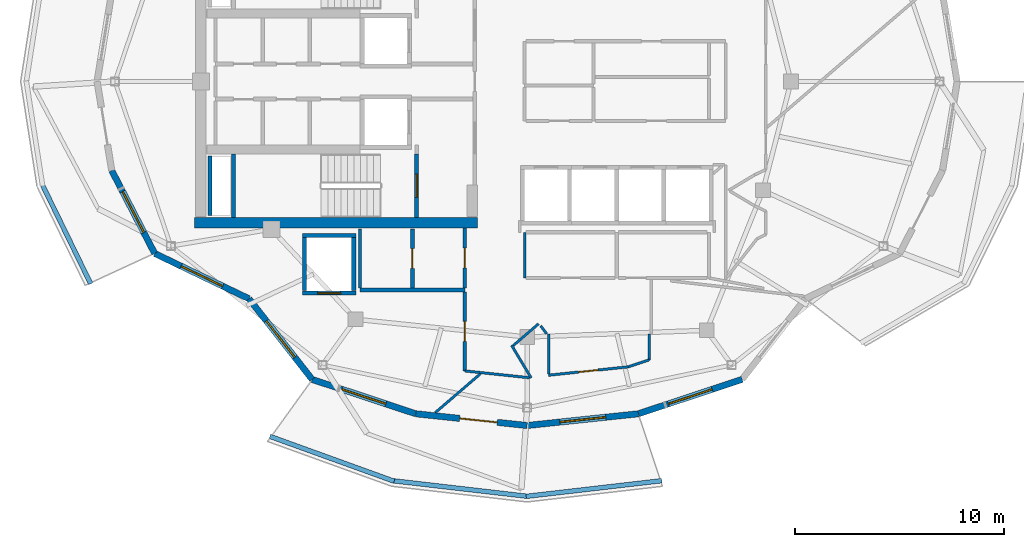
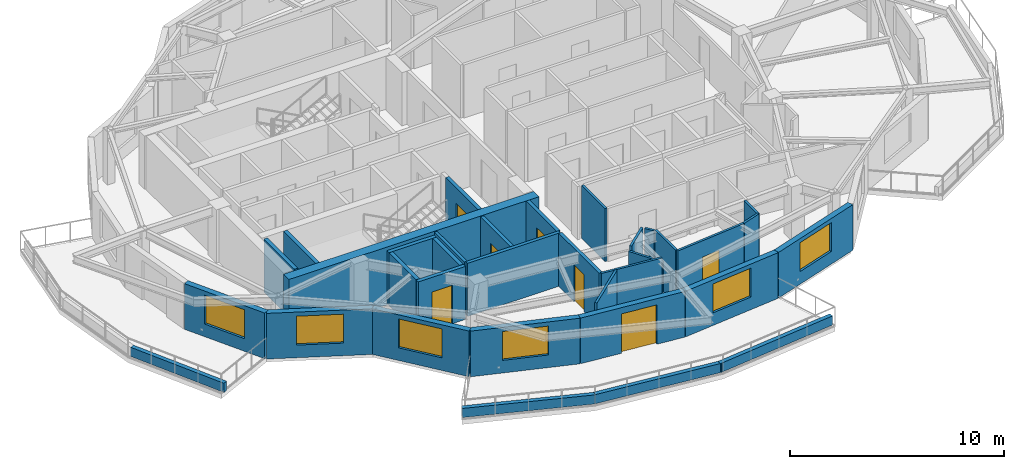
# One storey, part 3 of 11: 34 walls, 7 doors, 6 windows, 13 openings.
"""IFC4 building model written with IfcOpenShell, lengths in metres."""

from ifc_helpers import new_model, si_unit, direction, frame, frame_2d, origin, place, context, subcontext, project, spatial, rectangle, extrude, material, layer, layer_set, type_object, element, fill, save


model = new_model("IFC4")

# Units and contexts
model_context = context("Model", 3, precision=1e-05, world=origin(), true_north=direction((0.0, 1.0)))
body_context = subcontext(model_context, "Body", "Model", "MODEL_VIEW")
ifc_project = project(units=[si_unit("LENGTHUNIT", "METRE"), si_unit("AREAUNIT", "SQUARE_METRE"), si_unit("VOLUMEUNIT", "CUBIC_METRE"), si_unit("PLANEANGLEUNIT", "RADIAN"), si_unit("MASSUNIT", "GRAM", prefix="KILO")], contexts=[model_context])

# Site, building, storey
site_placement = place(None, origin())
site = spatial("IfcSite", under=ifc_project, at=site_placement, CompositionType="ELEMENT")
building_placement = place(site_placement, origin())
building = spatial("IfcBuilding", under=site, at=building_placement, Name="Kolvaren Gate Tower and Convention Centre", CompositionType="ELEMENT")
storey_placement = place(building_placement, frame((0.0, 0.0, 262.39990234375)))
storey = spatial("IfcBuildingStorey", under=building, at=storey_placement, Name="L71", CompositionType="ELEMENT", Elevation=262.39990234375)

# Wall
ifc_material_1 = material(Name="Autoclaved Aerated Masonry Blockwork Class 4 (4.0 MPa)", Category="masonry")
ifc_layer_1 = layer(ifc_material_1, 0.179931640625)
ifc_layer_set_1 = layer_set([ifc_layer_1], Name="Autoclaved Aerated Masonry Blockwork Class 4 (4.0 MPa)")
wall_type_1 = type_object("IfcWallType", Name="ARCH-WL-COMP-180", PredefinedType="SOLIDWALL", material=ifc_layer_set_1)
wall_1_placement = place(storey_placement, frame((22.14990234375, 17.050048828125, 0.0), z_axis=(0.0, 0.0, 1.0), x_axis=(1.0, 0.0, 0.0)))
element("IfcWall", 1, at=wall_1_placement, inside=storey, type_object=wall_type_1, Name="Interior Partition WL-L71-INT-011", PredefinedType="SOLIDWALL", context=body_context, shape_type="SweptSolid", body=[
    extrude(rectangle(XDim=5.0, YDim=0.179931640625, at=frame_2d((2.5, 0.0))), origin(), (0.0, 0.0, 1.0), 3.030029296875),
])

# Wall, opening, door
wall_2_placement = place(storey_placement, frame((24.64990234375, 17.14208984375, 0.0), z_axis=(0.0, 0.0, 1.0), x_axis=(0.0, 1.0, 0.0)))
wall_2 = element("IfcWall", 2, at=wall_2_placement, inside=storey, type_object=wall_type_1, Name="Interior Partition WL-L71-INT-013", PredefinedType="SOLIDWALL", context=body_context, shape_type="SweptSolid", body=[
    extrude(rectangle(XDim=2.807861328125, YDim=0.179931640625, at=frame_2d((1.40380859375, 0.0))), origin(), (0.0, 0.0, 1.0), 3.030029296875),
])
opening_1_placement = place(wall_2_placement, frame((0.928955078125, 0.0, 0.0)))
opening_1 = element("IfcOpeningElement", 3, at=opening_1_placement, cuts=wall_2, Name="Opening DR-01", PredefinedType="OPENING", context=body_context, shape_type="SweptSolid", body=[
    extrude(rectangle(XDim=0.949951171875, YDim=2.10009765625, at=frame_2d((0.47509765625, 1.050048828125))), frame((0.0, 0.099853515625, 0.0), z_axis=(0.0, -1.0, 0.0), x_axis=(1.0, 0.0, 0.0)), (0.0, 0.0, 1.0), 0.199951171875),
])
ifc_material_2 = material(Name="Painted Architectural Steelwork ASTM A500 Grade C 345 MPa", Category="steel")
door_type_1 = type_object("IfcDoorType", Name="ARCH-DR-RISER-950", OperationType="SINGLE_SWING_RIGHT", PredefinedType="DOOR", material=ifc_material_2)
door_1_placement = place(opening_1_placement, origin())
door_1 = element("IfcDoor", 4, at=door_1_placement, inside=storey, type_object=door_type_1, Name="West Valet Store Door", OperationType="SINGLE_SWING_RIGHT", OverallHeight=2.10009765625, OverallWidth=0.949951171875, PredefinedType="DOOR", context=body_context, shape_type="SweptSolid", body=[
    extrude(rectangle(XDim=0.949951171875, YDim=2.10009765625, at=frame_2d((0.47509765625, 1.050048828125))), frame((0.0, 0.02490234375, 0.0), z_axis=(0.0, -1.0, 0.0), x_axis=(1.0, 0.0, 0.0)), (0.0, 0.0, 1.0), 0.050048828125),
])
fill(opening_1, door_1)

wall_3_placement = place(storey_placement, frame((27.14990234375, 13.180908203125, 0.0), z_axis=(0.0, 0.0, 1.0), x_axis=(0.0, 1.0, 0.0)))
wall_3 = element("IfcWall", 5, at=wall_3_placement, inside=storey, type_object=wall_type_1, Name="Interior Partition WL-L71-INT-014", PredefinedType="SOLIDWALL", context=body_context, shape_type="SweptSolid", body=[
    extrude(rectangle(XDim=3.777099609375, YDim=0.179931640625, at=frame_2d((1.888671875, 0.0))), origin(), (0.0, 0.0, 1.0), 3.030029296875),
])
opening_2_placement = place(wall_3_placement, frame((1.41357421875, 0.0, 0.0)))
opening_2 = element("IfcOpeningElement", 6, at=opening_2_placement, cuts=wall_3, Name="Opening DR-01", PredefinedType="OPENING", context=body_context, shape_type="SweptSolid", body=[
    extrude(rectangle(XDim=0.949951171875, YDim=2.10009765625, at=frame_2d((0.47509765625, 1.050048828125))), frame((0.0, 0.099853515625, 0.0), z_axis=(0.0, -1.0, 0.0), x_axis=(1.0, 0.0, 0.0)), (0.0, 0.0, 1.0), 0.199951171875),
])
door_2_placement = place(opening_2_placement, origin())
door_2 = element("IfcDoor", 7, at=door_2_placement, inside=storey, type_object=door_type_1, Name="Resident Private Study and Home Office Door", OperationType="SINGLE_SWING_LEFT", OverallHeight=2.10009765625, OverallWidth=0.949951171875, PredefinedType="DOOR", context=body_context, shape_type="SweptSolid", body=[
    extrude(rectangle(XDim=0.949951171875, YDim=2.10009765625, at=frame_2d((0.47509765625, 1.050048828125))), frame((0.0, 0.02490234375, 0.0), z_axis=(0.0, -1.0, 0.0), x_axis=(1.0, 0.0, 0.0)), (0.0, 0.0, 1.0), 0.050048828125),
])
fill(opening_2, door_2)

wall_4_placement = place(storey_placement, frame((27.14990234375, 17.14208984375, 0.0), z_axis=(0.0, 0.0, 1.0), x_axis=(0.0, 1.0, 0.0)))
wall_4 = element("IfcWall", 8, at=wall_4_placement, inside=storey, type_object=wall_type_1, Name="Interior Partition WL-L71-INT-014 (2)", PredefinedType="SOLIDWALL", context=body_context, shape_type="SweptSolid", body=[
    extrude(rectangle(XDim=2.85595703125, YDim=0.179931640625, at=frame_2d((1.427978515625, 0.0))), origin(), (0.0, 0.0, 1.0), 3.030029296875),
])
opening_3_placement = place(wall_4_placement, frame((0.952880859375, 0.0, 0.0)))
opening_3 = element("IfcOpeningElement", 9, at=opening_3_placement, cuts=wall_4, Name="Opening DR-01", PredefinedType="OPENING", context=body_context, shape_type="SweptSolid", body=[
    extrude(rectangle(XDim=0.949951171875, YDim=2.10009765625, at=frame_2d((0.47509765625, 1.050048828125))), frame((0.0, 0.099853515625, 0.0), z_axis=(0.0, -1.0, 0.0), x_axis=(1.0, 0.0, 0.0)), (0.0, 0.0, 1.0), 0.199951171875),
])
door_3_placement = place(opening_3_placement, origin())
door_3 = element("IfcDoor", 10, at=door_3_placement, inside=storey, type_object=door_type_1, Name="Metering Switch Room Door", OperationType="SINGLE_SWING_LEFT", OverallHeight=2.10009765625, OverallWidth=0.949951171875, PredefinedType="DOOR", context=body_context, shape_type="SweptSolid", body=[
    extrude(rectangle(XDim=0.949951171875, YDim=2.10009765625, at=frame_2d((0.47509765625, 1.050048828125))), frame((0.0, 0.02490234375, 0.0), z_axis=(0.0, -1.0, 0.0), x_axis=(1.0, 0.0, 0.0)), (0.0, 0.0, 1.0), 0.050048828125),
])
fill(opening_3, door_3)

# Walls
ifc_material_3 = material(Name="Fire-Rated Acoustic Gypsum Stud Partition", Category="gypsum")
ifc_layer_2 = layer(ifc_material_3, 0.1201171875)
ifc_layer_set_2 = layer_set([ifc_layer_2], Name="Fire-Rated Acoustic Gypsum Stud Partition")
wall_type_2 = type_object("IfcWallType", Name="ARCH-WL-PART-120", PredefinedType="PARTITIONING", material=ifc_layer_set_2)
wall_5_placement = place(storey_placement, frame((30.0, 17.6201171875, 0.0), z_axis=(0.0, 0.0, 1.0), x_axis=(0.0, 1.0, 0.0)))
element("IfcWall", 11, at=wall_5_placement, inside=storey, type_object=wall_type_2, Name="Interior Partition WL-L71-INT-017", PredefinedType="PARTITIONING", context=body_context, shape_type="SweptSolid", body=[
    extrude(rectangle(XDim=2.179931640625, YDim=0.1201171875, at=frame_2d((1.08984375, 0.0))), origin(), (0.0, 0.0, 1.0), 3.030029296875),
])
wall_6_placement = place(storey_placement, frame((35.949951171875, 13.7060546875, 0.0), z_axis=(0.0, 0.0, 1.0), x_axis=(0.0, 1.0, 0.0)))
element("IfcWall", 12, at=wall_6_placement, inside=storey, type_object=wall_type_2, Name="Interior Partition WL-L71-INT-065", PredefinedType="PARTITIONING", context=body_context, shape_type="SweptSolid", body=[
    extrude(rectangle(XDim=1.243896484375, YDim=0.1201171875, at=frame_2d((0.6220703125, 0.0))), origin(), (0.0, 0.0, 1.0), 3.030029296875),
])
wall_7_placement = place(storey_placement, frame((34.955078125, 13.3759765625, 0.0), z_axis=(0.0, 0.0, 1.0), x_axis=(0.949124905871, 0.314899846071, 0.0)))
element("IfcWall", 13, at=wall_7_placement, inside=storey, type_object=wall_type_2, Name="Interior Partition WL-L71-INT-066", PredefinedType="PARTITIONING", context=body_context, shape_type="SweptSolid", body=[
    extrude(rectangle(XDim=1.048095703125, YDim=0.1201171875, at=frame_2d((0.52392578125, 0.0))), origin(), (0.0, 0.0, 1.0), 3.030029296875),
])

# Wall, opening, door
wall_8_placement = place(storey_placement, frame((31.14990234375, 12.97607421875, 0.0), z_axis=(0.0, 0.0, 1.0), x_axis=(0.994522920899, 0.104518705533, 0.0)))
wall_8 = element("IfcWall", 14, at=wall_8_placement, inside=storey, type_object=wall_type_2, Name="Interior Partition WL-L71-INT-067", PredefinedType="PARTITIONING", context=body_context, shape_type="SweptSolid", body=[
    extrude(rectangle(XDim=3.826171875, YDim=0.1201171875, at=frame_2d((1.9130859375, 0.0))), origin(), (0.0, 0.0, 1.0), 3.030029296875),
])
opening_4_placement = place(wall_8_placement, frame((1.43798828125, 0.0, 0.0)))
opening_4 = element("IfcOpeningElement", 15, at=opening_4_placement, cuts=wall_8, Name="Opening DR-01", PredefinedType="OPENING", context=body_context, shape_type="SweptSolid", body=[
    extrude(rectangle(XDim=0.949951171875, YDim=2.10009765625, at=frame_2d((0.47509765625, 1.050048828125))), frame((0.0, 0.070068359375, 0.0), z_axis=(0.0, -1.0, 0.0), x_axis=(1.0, 0.0, 0.0)), (0.0, 0.0, 1.0), 0.14013671875),
])
door_4_placement = place(opening_4_placement, origin())
door_4 = element("IfcDoor", 16, at=door_4_placement, inside=storey, type_object=door_type_1, Name="Crown Executive Office Door", OperationType="SINGLE_SWING_LEFT", OverallHeight=2.10009765625, OverallWidth=0.949951171875, PredefinedType="DOOR", context=body_context, shape_type="SweptSolid", body=[
    extrude(rectangle(XDim=0.949951171875, YDim=2.10009765625, at=frame_2d((0.47509765625, 1.050048828125))), frame((0.0, 0.02490234375, 0.0), z_axis=(0.0, -1.0, 0.0), x_axis=(1.0, 0.0, 0.0)), (0.0, 0.0, 1.0), 0.050048828125),
])
fill(opening_4, door_4)

# Walls
wall_9_placement = place(storey_placement, frame((31.14990234375, 13.038330078125, 0.0), z_axis=(0.0, 0.0, 1.0), x_axis=(0.0, 1.0, 0.0)))
element("IfcWall", 17, at=wall_9_placement, inside=storey, type_object=wall_type_2, Name="Interior Partition WL-L71-INT-068", PredefinedType="PARTITIONING", context=body_context, shape_type="SweptSolid", body=[
    extrude(rectangle(XDim=1.91162109375, YDim=0.1201171875, at=frame_2d((0.955810546875, 0.0))), origin(), (0.0, 0.0, 1.0), 3.030029296875),
])
wall_10_placement = place(storey_placement, frame((30.77392578125, 15.3330078125, 0.0), z_axis=(0.0, 0.0, 1.0), x_axis=(0.595814974861, -0.803121731577, 0.0)))
element("IfcWall", 18, at=wall_10_placement, inside=storey, type_object=wall_type_2, Name="Interior Partition WL-L71-INT-069", PredefinedType="PARTITIONING", context=body_context, shape_type="SweptSolid", body=[
    extrude(rectangle(XDim=0.47705078125, YDim=0.1201171875, at=frame_2d((0.238525390625, 0.0))), origin(), (0.0, 0.0, 1.0), 3.030029296875),
])
wall_11_placement = place(storey_placement, frame((29.384033203125, 14.404052734375, 0.0), z_axis=(0.0, 0.0, 1.0), x_axis=(0.513922040123, -0.857836893982, 0.0)))
element("IfcWall", 19, at=wall_11_placement, inside=storey, type_object=wall_type_2, Name="Interior Partition WL-L71-INT-070", PredefinedType="PARTITIONING", context=body_context, shape_type="SweptSolid", body=[
    extrude(rectangle(XDim=1.815185546875, YDim=0.1201171875, at=frame_2d((0.90771484375, 0.0))), origin(), (0.0, 0.0, 1.0), 2.77001953125),
])
wall_12_placement = place(storey_placement, frame((27.14990234375, 13.180908203125, 0.0), z_axis=(0.0, 0.0, 1.0), x_axis=(0.994482609393, -0.104901571076, 0.0)))
element("IfcWall", 20, at=wall_12_placement, inside=storey, type_object=wall_type_2, Name="Interior Partition WL-L71-INT-071", PredefinedType="PARTITIONING", context=body_context, shape_type="SweptSolid", body=[
    extrude(rectangle(XDim=3.10693359375, YDim=0.1201171875, at=frame_2d((1.553466796875, 0.0))), origin(), (0.0, 0.0, 1.0), 3.030029296875),
])
wall_13_placement = place(storey_placement, frame((25.738525390625, 11.18994140625, 0.0), z_axis=(0.0, 0.0, 1.0), x_axis=(0.75818689734, 0.652037290883, 0.0)))
element("IfcWall", 21, at=wall_13_placement, inside=storey, type_object=wall_type_2, Name="Interior Partition WL-L71-INT-073", PredefinedType="PARTITIONING", context=body_context, shape_type="SweptSolid", body=[
    extrude(rectangle(XDim=2.838134765625, YDim=0.1201171875, at=frame_2d((1.4189453125, 0.0))), origin(), (0.0, 0.0, 1.0), 3.030029296875),
])
wall_14_placement = place(storey_placement, frame((29.462890625, 14.392822265625, 0.0), z_axis=(0.0, 0.0, 1.0), x_axis=(0.758209368839, 0.652011160184, 0.0)))
element("IfcWall", 22, at=wall_14_placement, inside=storey, type_object=wall_type_2, Name="Interior Partition WL-L71-INT-074", PredefinedType="PARTITIONING", context=body_context, shape_type="SweptSolid", body=[
    extrude(rectangle(XDim=1.59765625, YDim=0.1201171875, at=frame_2d((0.798828125, 0.0))), origin(), (0.0, 0.0, 1.0), 3.030029296875),
])
ifc_material_4 = material(Name="Piedmont Cream Honed Limestone Cladding", Category="masonry")
ifc_layer_3 = layer(ifc_material_4, 0.219970703125)
ifc_layer_set_3 = layer_set([ifc_layer_3], Name="Piedmont Cream Honed Limestone Cladding")
wall_type_3 = type_object("IfcWallType", Name="ARCH-WL-PLANTER-220", PredefinedType="PARAPET", material=ifc_layer_set_3)
wall_15_placement = place(storey_placement, frame((6.98046875, 22.070068359375, 0.0), z_axis=(0.0, 0.0, 1.0), x_axis=(0.438469339137, -0.898746148051, 0.0)))
element("IfcWall", 23, at=wall_15_placement, inside=storey, type_object=wall_type_3, Name="Vertical-Forest Balcony Stone Planter Kerb PK-L71-2.3", PredefinedType="PARAPET", context=body_context, shape_type="SweptSolid", body=[
    extrude(rectangle(XDim=5.26171875, YDim=0.219970703125, at=frame_2d((2.630859375, 0.0))), origin(), (0.0, 0.0, 1.0), 0.52001953125),
])
wall_16_placement = place(storey_placement, frame((17.84619140625, 10.056396484375, 0.0), z_axis=(0.0, 0.0, 1.0), x_axis=(0.940465240036, -0.339889882585, 0.0)))
element("IfcWall", 24, at=wall_16_placement, inside=storey, type_object=wall_type_3, Name="Vertical-Forest Balcony Stone Planter Kerb PK-L71-3.1", PredefinedType="PARAPET", context=body_context, shape_type="SweptSolid", body=[
    extrude(rectangle(XDim=6.306640625, YDim=0.219970703125, at=frame_2d((3.1533203125, 0.0))), origin(), (0.0, 0.0, 1.0), 0.52001953125),
])
for number, where, z_axis, x_axis, name in (
    (25, (23.694091796875, 7.9404296875, 0.0), (0.0, 0.0, 1.0), (0.993378231371, -0.114889901378, 0.0), "Vertical-Forest Balcony Stone Planter Kerb PK-L71-3.2"),
    (26, (30.07958984375, 7.19140625, 0.0), (0.0, 0.0, 1.0), (0.993378231371, 0.114889901378, 0.0), "Vertical-Forest Balcony Stone Planter Kerb PK-L71-3.3"),
):
    element("IfcWall", number, at=place(storey_placement, frame(where, z_axis=z_axis, x_axis=x_axis)), inside=storey, type_object=wall_type_3, Name=name, PredefinedType="PARAPET", context=body_context, shape_type="SweptSolid", body=[
        extrude(rectangle(XDim=6.51953125, YDim=0.219970703125, at=frame_2d((3.259765625, 0.0))), origin(), (0.0, 0.0, 1.0), 0.52001953125),
    ])
ifc_layer_4 = layer(ifc_material_1, 0.199951171875)
ifc_layer_set_4 = layer_set([ifc_layer_4], Name="Autoclaved Aerated Masonry Blockwork Class 4 (4.0 MPa)")
wall_type_4 = type_object("IfcWallType", Name="ARCH-WL-SHAFT-200", PredefinedType="SOLIDWALL", material=ifc_layer_set_4)
wall_17_placement = place(storey_placement, frame((19.39990234375, 19.64990234375, 0.0), z_axis=(0.0, 0.0, 1.0), x_axis=(1.0, 0.0, 0.0)))
element("IfcWall", 27, at=wall_17_placement, inside=storey, type_object=wall_type_4, Name="Elevator SV-01 L71 Fire Shaft Wall N", PredefinedType="SOLIDWALL", context=body_context, shape_type="SweptSolid", body=[
    extrude(rectangle(XDim=2.550048828125, YDim=0.199951171875, at=frame_2d((1.27490234375, 0.0))), origin(), (0.0, 0.0, 1.0), 3.030029296875),
])

# Wall, opening, door
wall_18_placement = place(storey_placement, frame((19.39990234375, 16.89990234375, 0.0), z_axis=(0.0, 0.0, 1.0), x_axis=(1.0, 0.0, 0.0)))
wall_18 = element("IfcWall", 28, at=wall_18_placement, inside=storey, type_object=wall_type_4, Name="Elevator SV-01 L71 Fire Shaft Wall S", PredefinedType="SOLIDWALL", context=body_context, shape_type="SweptSolid", body=[
    extrude(rectangle(XDim=2.550048828125, YDim=0.199951171875, at=frame_2d((1.27490234375, 0.0))), origin(), (0.0, 0.0, 1.0), 3.030029296875),
])
opening_5_placement = place(wall_18_placement, frame((0.72509765625, 0.0, 0.0)))
opening_5 = element("IfcOpeningElement", 29, at=opening_5_placement, cuts=wall_18, Name="Opening LD", PredefinedType="OPENING", context=body_context, shape_type="SweptSolid", body=[
    extrude(rectangle(XDim=1.10009765625, YDim=2.199951171875, at=frame_2d((0.550048828125, 1.10009765625))), frame((0.0, 0.10986328125, 0.0), z_axis=(0.0, -1.0, 0.0), x_axis=(1.0, 0.0, 0.0)), (0.0, 0.0, 1.0), 0.219970703125),
])
ifc_material_5 = material(Name="Brushed Stainless Steel Grade 316L", Category="steel")
door_type_2 = type_object("IfcDoorType", Name="ARCH-DR-LIFT-1100", OperationType="SLIDING_TO_LEFT", PredefinedType="DOOR", material=ifc_material_5)
door_5_placement = place(opening_5_placement, origin())
door_5 = element("IfcDoor", 30, at=door_5_placement, inside=storey, type_object=door_type_2, Name="Elevator SV-01 L71 Sliding Landing Door", OperationType="SLIDING_TO_LEFT", OverallHeight=2.199951171875, OverallWidth=1.10009765625, PredefinedType="DOOR", context=body_context, shape_type="SweptSolid", body=[
    extrude(rectangle(XDim=1.10009765625, YDim=2.199951171875, at=frame_2d((0.550048828125, 1.10009765625))), frame((0.0, 0.02490234375, 0.0), z_axis=(0.0, -1.0, 0.0), x_axis=(1.0, 0.0, 0.0)), (0.0, 0.0, 1.0), 0.050048828125),
])
fill(opening_5, door_5)

# Walls
for number, where, z_axis, x_axis, name in (
    (31, (19.5, 17.010009765625, 0.0), (0.0, 0.0, 1.0), (0.0, 1.0, 0.0), "Elevator SV-01 L71 Fire Shaft Wall W"),
    (32, (21.85009765625, 17.010009765625, 0.0), (0.0, 0.0, 1.0), (0.0, 1.0, 0.0), "Elevator SV-01 L71 Fire Shaft Wall E"),
):
    element("IfcWall", number, at=place(storey_placement, frame(where, z_axis=z_axis, x_axis=x_axis)), inside=storey, type_object=wall_type_4, Name=name, PredefinedType="SOLIDWALL", context=body_context, shape_type="SweptSolid", body=[
        extrude(rectangle(XDim=2.530029296875, YDim=0.199951171875, at=frame_2d((1.26513671875, 0.0))), origin(), (0.0, 0.0, 1.0), 3.030029296875),
    ])
wall_19_placement = place(storey_placement, frame((14.989990234375, 20.60009765625, 0.0), z_axis=(0.0, 0.0, 1.0), x_axis=(0.0, 1.0, 0.0)))
element("IfcWall", 33, at=wall_19_placement, inside=storey, type_object=wall_type_4, Name="Vertical Shaft MPR L71 EI-120 Enclosure Wall W", PredefinedType="SOLIDWALL", context=body_context, shape_type="SweptSolid", body=[
    extrude(rectangle(XDim=2.849853515625, YDim=0.199951171875, at=frame_2d((1.4248046875, 0.0))), origin(), (0.0, 0.0, 1.0), 3.030029296875),
])

# Wall, opening, window
ifc_layer_5 = layer(ifc_material_4, 0.300048828125)
ifc_layer_set_5 = layer_set([ifc_layer_5], Name="Piedmont Cream Honed Limestone Cladding")
wall_type_5 = type_object("IfcWallType", Name="ARCH-WL-STONE-300", PredefinedType="SOLIDWALL", material=ifc_layer_set_5)
wall_20_placement = place(storey_placement, frame((10.29345703125, 22.748779296875, 0.0), z_axis=(0.0, 0.0, 1.0), x_axis=(0.459801070243, -0.888021945564, 0.0)))
wall_20 = element("IfcWall", 34, at=wall_20_placement, inside=storey, type_object=wall_type_5, Name="Tower L71 Honed Stone Spandrel Wall EW-13", PredefinedType="SOLIDWALL", context=body_context, shape_type="SweptSolid", body=[
    extrude(rectangle(XDim=4.460693359375, YDim=0.300048828125, at=frame_2d((2.23046875, 0.0))), origin(), (0.0, 0.0, 1.0), 2.60498046875),
])
opening_6_placement = place(wall_20_placement, frame((1.1298828125, 0.0, 0.719970703125)))
opening_6 = element("IfcOpeningElement", 35, at=opening_6_placement, cuts=wall_20, Name="Opening W-03", PredefinedType="OPENING", context=body_context, shape_type="SweptSolid", body=[
    extrude(rectangle(XDim=2.199951171875, YDim=1.64990234375, at=frame_2d((1.10009765625, 0.824951171875))), frame((0.0, 0.159912109375, 0.0), z_axis=(0.0, -1.0, 0.0), x_axis=(1.0, 0.0, 0.0)), (0.0, 0.0, 1.0), 0.320068359375),
])
ifc_material_6 = material(Name="Low-E Triple Insulated Glazing Unit 44 mm", Category="glass")
window_type = type_object("IfcWindowType", Name="ARCH-WN-RES-2200", PartitioningType="SINGLE_PANEL", PredefinedType="WINDOW", material=ifc_material_6)
window_1_placement = place(opening_6_placement, origin())
window_1 = element("IfcWindow", 36, at=window_1_placement, inside=storey, type_object=window_type, Name="Tower L71 Punched Stone Facade Window W-13", OverallHeight=1.64990234375, OverallWidth=2.199951171875, PartitioningType="SINGLE_PANEL", PredefinedType="WINDOW", context=body_context, shape_type="SweptSolid", body=[
    extrude(rectangle(XDim=2.199951171875, YDim=1.64990234375, at=frame_2d((1.10009765625, 0.824951171875))), frame((0.0, 0.030029296875, 0.0), z_axis=(0.0, -1.0, 0.0), x_axis=(1.0, 0.0, 0.0)), (0.0, 0.0, 1.0), 0.06005859375),
])
fill(opening_6, window_1)

wall_21_placement = place(storey_placement, frame((12.344482421875, 18.78759765625, 0.0), z_axis=(0.0, 0.0, 1.0), x_axis=(0.901346013132, -0.433099716706, 0.0)))
wall_21 = element("IfcWall", 37, at=wall_21_placement, inside=storey, type_object=wall_type_5, Name="Tower L71 Honed Stone Spandrel Wall EW-14", PredefinedType="SOLIDWALL", context=body_context, shape_type="SweptSolid", body=[
    extrude(rectangle(XDim=4.994384765625, YDim=0.300048828125, at=frame_2d((2.4970703125, 0.0))), origin(), (0.0, 0.0, 1.0), 2.60498046875),
])
opening_7_placement = place(wall_21_placement, frame((1.39697265625, 0.0, 0.719970703125)))
opening_7 = element("IfcOpeningElement", 38, at=opening_7_placement, cuts=wall_21, Name="Opening W-03", PredefinedType="OPENING", context=body_context, shape_type="SweptSolid", body=[
    extrude(rectangle(XDim=2.199951171875, YDim=1.64990234375, at=frame_2d((1.10009765625, 0.824951171875))), frame((0.0, 0.159912109375, 0.0), z_axis=(0.0, -1.0, 0.0), x_axis=(1.0, 0.0, 0.0)), (0.0, 0.0, 1.0), 0.320068359375),
])
window_2_placement = place(opening_7_placement, origin())
window_2 = element("IfcWindow", 39, at=window_2_placement, inside=storey, type_object=window_type, Name="Tower L71 Punched Stone Facade Window W-14", OverallHeight=1.64990234375, OverallWidth=2.199951171875, PartitioningType="SINGLE_PANEL", PredefinedType="WINDOW", context=body_context, shape_type="SweptSolid", body=[
    extrude(rectangle(XDim=2.199951171875, YDim=1.64990234375, at=frame_2d((1.10009765625, 0.824951171875))), frame((0.0, 0.030029296875, 0.0), z_axis=(0.0, -1.0, 0.0), x_axis=(1.0, 0.0, 0.0)), (0.0, 0.0, 1.0), 0.06005859375),
])
fill(opening_7, window_2)

wall_22_placement = place(storey_placement, frame((16.84619140625, 16.62451171875, 0.0), z_axis=(0.0, 0.0, 1.0), x_axis=(0.616413297421, -0.78742278781, 0.0)))
wall_22 = element("IfcWall", 40, at=wall_22_placement, inside=storey, type_object=wall_type_5, Name="Tower L71 Honed Stone Spandrel Wall EW-15", PredefinedType="SOLIDWALL", context=body_context, shape_type="SweptSolid", body=[
    extrude(rectangle(XDim=4.88818359375, YDim=0.300048828125, at=frame_2d((2.444091796875, 0.0))), origin(), (0.0, 0.0, 1.0), 2.60498046875),
])
opening_8_placement = place(wall_22_placement, frame((1.343994140625, 0.0, 0.719970703125)))
opening_8 = element("IfcOpeningElement", 41, at=opening_8_placement, cuts=wall_22, Name="Opening W-03", PredefinedType="OPENING", context=body_context, shape_type="SweptSolid", body=[
    extrude(rectangle(XDim=2.199951171875, YDim=1.64990234375, at=frame_2d((1.10009765625, 0.824951171875))), frame((0.0, 0.159912109375, 0.0), z_axis=(0.0, -1.0, 0.0), x_axis=(1.0, 0.0, 0.0)), (0.0, 0.0, 1.0), 0.320068359375),
])
window_3_placement = place(opening_8_placement, origin())
window_3 = element("IfcWindow", 42, at=window_3_placement, inside=storey, type_object=window_type, Name="Tower L71 Punched Stone Facade Window W-15", OverallHeight=1.64990234375, OverallWidth=2.199951171875, PartitioningType="SINGLE_PANEL", PredefinedType="WINDOW", context=body_context, shape_type="SweptSolid", body=[
    extrude(rectangle(XDim=2.199951171875, YDim=1.64990234375, at=frame_2d((1.10009765625, 0.824951171875))), frame((0.0, 0.030029296875, 0.0), z_axis=(0.0, -1.0, 0.0), x_axis=(1.0, 0.0, 0.0)), (0.0, 0.0, 1.0), 0.06005859375),
])
fill(opening_8, window_3)

wall_23_placement = place(storey_placement, frame((19.859375, 12.775390625, 0.0), z_axis=(0.0, 0.0, 1.0), x_axis=(0.949252744709, -0.314514271001, 0.0)))
wall_23 = element("IfcWall", 43, at=wall_23_placement, inside=storey, type_object=wall_type_5, Name="Tower L71 Honed Stone Spandrel Wall EW-16", PredefinedType="SOLIDWALL", context=body_context, shape_type="SweptSolid", body=[
    extrude(rectangle(XDim=5.21630859375, YDim=0.300048828125, at=frame_2d((2.608154296875, 0.0))), origin(), (0.0, 0.0, 1.0), 2.60498046875),
])
opening_9_placement = place(wall_23_placement, frame((1.508056640625, 0.0, 0.719970703125)))
opening_9 = element("IfcOpeningElement", 44, at=opening_9_placement, cuts=wall_23, Name="Opening W-03", PredefinedType="OPENING", context=body_context, shape_type="SweptSolid", body=[
    extrude(rectangle(XDim=2.199951171875, YDim=1.64990234375, at=frame_2d((1.10009765625, 0.824951171875))), frame((0.0, 0.159912109375, 0.0), z_axis=(0.0, -1.0, 0.0), x_axis=(1.0, 0.0, 0.0)), (0.0, 0.0, 1.0), 0.320068359375),
])
window_4_placement = place(opening_9_placement, origin())
window_4 = element("IfcWindow", 45, at=window_4_placement, inside=storey, type_object=window_type, Name="Tower L71 Punched Stone Facade Window W-16", OverallHeight=1.64990234375, OverallWidth=2.199951171875, PartitioningType="SINGLE_PANEL", PredefinedType="WINDOW", context=body_context, shape_type="SweptSolid", body=[
    extrude(rectangle(XDim=2.199951171875, YDim=1.64990234375, at=frame_2d((1.10009765625, 0.824951171875))), frame((0.0, 0.030029296875, 0.0), z_axis=(0.0, -1.0, 0.0), x_axis=(1.0, 0.0, 0.0)), (0.0, 0.0, 1.0), 0.06005859375),
])
fill(opening_9, window_4)

# Wall, opening, door
wall_24_placement = place(storey_placement, frame((24.81103515625, 11.134765625, 0.0), z_axis=(0.0, 0.0, 1.0), x_axis=(0.9944966869, -0.104768028258, 0.0)))
wall_24 = element("IfcWall", 46, at=wall_24_placement, inside=storey, type_object=wall_type_5, Name="Tower L71 Honed Stone Spandrel Wall EW-17", PredefinedType="SOLIDWALL", context=body_context, shape_type="SweptSolid", body=[
    extrude(rectangle(XDim=5.34326171875, YDim=0.300048828125, at=frame_2d((2.671630859375, 0.0))), origin(), (0.0, 0.0, 1.0), 2.60498046875),
])
opening_10_placement = place(wall_24_placement, frame((2.10009765625, 0.0, 0.0)))
opening_10 = element("IfcOpeningElement", 47, at=opening_10_placement, cuts=wall_24, Name="Opening DB-01", PredefinedType="OPENING", context=body_context, shape_type="SweptSolid", body=[
    extrude(rectangle(XDim=1.800048828125, YDim=2.25, at=frame_2d((0.89990234375, 1.125))), frame((0.0, 0.159912109375, 0.0), z_axis=(0.0, -1.0, 0.0), x_axis=(1.0, 0.0, 0.0)), (0.0, 0.0, 1.0), 0.320068359375),
])
ifc_material_7 = material(Name="Anodized Architectural Aluminium Alloy 6063-T6", Category="aluminium")
door_type_3 = type_object("IfcDoorType", Name="ARCH-DR-BALC-1800", OperationType="SLIDING_TO_LEFT", PredefinedType="DOOR", material=ifc_material_7)
door_6_placement = place(opening_10_placement, frame((1.800048828125, 0.0, 0.0), z_axis=(0.0, 0.0, 1.0), x_axis=(-1.0, 0.0, 0.0)))
door_6 = element("IfcDoor", 48, at=door_6_placement, inside=storey, type_object=door_type_3, Name="Planted Sky Terrace Access Door DB-L71-17", OperationType="SLIDING_TO_LEFT", OverallHeight=2.25, OverallWidth=1.800048828125, PredefinedType="DOOR", context=body_context, shape_type="SweptSolid", body=[
    extrude(rectangle(XDim=1.800048828125, YDim=2.25, at=frame_2d((0.89990234375, 1.125))), frame((0.0, 0.02490234375, 0.0), z_axis=(0.0, -1.0, 0.0), x_axis=(1.0, 0.0, 0.0)), (0.0, 0.0, 1.0), 0.050048828125),
])
fill(opening_10, door_6)

# Wall, opening, window
wall_25_placement = place(storey_placement, frame((30.125, 10.574951171875, 0.0), z_axis=(0.0, 0.0, 1.0), x_axis=(0.9944966869, 0.104768028258, 0.0)))
wall_25 = element("IfcWall", 49, at=wall_25_placement, inside=storey, type_object=wall_type_5, Name="Tower L71 Honed Stone Spandrel Wall EW-18", PredefinedType="SOLIDWALL", context=body_context, shape_type="SweptSolid", body=[
    extrude(rectangle(XDim=5.34326171875, YDim=0.300048828125, at=frame_2d((2.671630859375, 0.0))), origin(), (0.0, 0.0, 1.0), 2.60498046875),
])
opening_11_placement = place(wall_25_placement, frame((1.572021484375, 0.0, 0.719970703125)))
opening_11 = element("IfcOpeningElement", 50, at=opening_11_placement, cuts=wall_25, Name="Opening W-03", PredefinedType="OPENING", context=body_context, shape_type="SweptSolid", body=[
    extrude(rectangle(XDim=2.199951171875, YDim=1.64990234375, at=frame_2d((1.10009765625, 0.824951171875))), frame((0.0, 0.159912109375, 0.0), z_axis=(0.0, -1.0, 0.0), x_axis=(1.0, 0.0, 0.0)), (0.0, 0.0, 1.0), 0.320068359375),
])
window_5_placement = place(opening_11_placement, origin())
window_5 = element("IfcWindow", 51, at=window_5_placement, inside=storey, type_object=window_type, Name="Tower L71 Punched Stone Facade Window W-18", OverallHeight=1.64990234375, OverallWidth=2.199951171875, PartitioningType="SINGLE_PANEL", PredefinedType="WINDOW", context=body_context, shape_type="SweptSolid", body=[
    extrude(rectangle(XDim=2.199951171875, YDim=1.64990234375, at=frame_2d((1.10009765625, 0.824951171875))), frame((0.0, 0.030029296875, 0.0), z_axis=(0.0, -1.0, 0.0), x_axis=(1.0, 0.0, 0.0)), (0.0, 0.0, 1.0), 0.06005859375),
])
fill(opening_11, window_5)

wall_26_placement = place(storey_placement, frame((35.43896484375, 11.134765625, 0.0), z_axis=(0.0, 0.0, 1.0), x_axis=(0.949252744709, 0.314514271001, 0.0)))
wall_26 = element("IfcWall", 52, at=wall_26_placement, inside=storey, type_object=wall_type_5, Name="Tower L71 Honed Stone Spandrel Wall EW-19", PredefinedType="SOLIDWALL", context=body_context, shape_type="SweptSolid", body=[
    extrude(rectangle(XDim=5.21630859375, YDim=0.300048828125, at=frame_2d((2.608154296875, 0.0))), origin(), (0.0, 0.0, 1.0), 2.60498046875),
])
opening_12_placement = place(wall_26_placement, frame((1.508056640625, 0.0, 0.719970703125)))
opening_12 = element("IfcOpeningElement", 53, at=opening_12_placement, cuts=wall_26, Name="Opening W-03", PredefinedType="OPENING", context=body_context, shape_type="SweptSolid", body=[
    extrude(rectangle(XDim=2.199951171875, YDim=1.64990234375, at=frame_2d((1.10009765625, 0.824951171875))), frame((0.0, 0.159912109375, 0.0), z_axis=(0.0, -1.0, 0.0), x_axis=(1.0, 0.0, 0.0)), (0.0, 0.0, 1.0), 0.320068359375),
])
window_6_placement = place(opening_12_placement, origin())
window_6 = element("IfcWindow", 54, at=window_6_placement, inside=storey, type_object=window_type, Name="Tower L71 Punched Stone Facade Window W-19", OverallHeight=1.64990234375, OverallWidth=2.199951171875, PartitioningType="SINGLE_PANEL", PredefinedType="WINDOW", context=body_context, shape_type="SweptSolid", body=[
    extrude(rectangle(XDim=2.199951171875, YDim=1.64990234375, at=frame_2d((1.10009765625, 0.824951171875))), frame((0.0, 0.030029296875, 0.0), z_axis=(0.0, -1.0, 0.0), x_axis=(1.0, 0.0, 0.0)), (0.0, 0.0, 1.0), 0.06005859375),
])
fill(opening_12, window_6)

# Walls
ifc_material_8 = material(Name="Moisture-Resistant Cement-Board Acoustic Partition", Category="gypsum")
ifc_layer_6 = layer(ifc_material_8, 0.14990234375)
ifc_layer_set_6 = layer_set([ifc_layer_6], Name="Moisture-Resistant Cement-Board Acoustic Partition")
wall_type_6 = type_object("IfcWallType", Name="ARCH-WL-WET-150", PredefinedType="PARTITIONING", material=ifc_layer_set_6)
wall_27_placement = place(storey_placement, frame((22.14990234375, 17.14208984375, 0.0), z_axis=(0.0, 0.0, 1.0), x_axis=(0.0, 1.0, 0.0)))
element("IfcWall", 55, at=wall_27_placement, inside=storey, type_object=wall_type_6, Name="Interior Partition WL-L71-INT-012", PredefinedType="PARTITIONING", context=body_context, shape_type="SweptSolid", body=[
    extrude(rectangle(XDim=2.807861328125, YDim=0.14990234375, at=frame_2d((1.40380859375, 0.0))), origin(), (0.0, 0.0, 1.0), 3.030029296875),
])
ifc_material_9 = material(Name="Concrete C50/60", Category="concrete")
ifc_layer_7 = layer(ifc_material_9, 0.5)
ifc_layer_set_7 = layer_set([ifc_layer_7], Name="Concrete C50/60")
wall_type_7 = type_object("IfcWallType", Name="STR-WL-CORE-500", PredefinedType="SHEAR", material=ifc_layer_set_7)
wall_28_placement = place(storey_placement, frame((14.25, 20.25, -0.27001953125), z_axis=(0.0, 0.0, 1.0), x_axis=(1.0, 0.0, 0.0)))
element("IfcWall", 56, at=wall_28_placement, inside=storey, type_object=wall_type_7, Name="Tower L71 Offset Core Shear Wall S", PredefinedType="SHEAR", context=body_context, shape_type="SweptSolid", body=[
    extrude(rectangle(XDim=13.5, YDim=0.5, at=frame_2d((6.75, 0.0))), origin(), (0.0, 0.0, 1.0), 3.300048828125),
])

# Wall, opening, door
ifc_layer_8 = layer(ifc_material_9, 0.199951171875)
ifc_layer_set_8 = layer_set([ifc_layer_8], Name="Concrete C50/60")
wall_type_8 = type_object("IfcWallType", Name="STR-WL-SHAFT-200", PredefinedType="SHEAR", material=ifc_layer_set_8)
wall_29_placement = place(storey_placement, frame((24.85009765625, 20.501953125, -0.27001953125), z_axis=(0.0, 0.0, 1.0), x_axis=(0.0, 1.0, 0.0)))
wall_29 = element("IfcWall", 57, at=wall_29_placement, inside=storey, type_object=wall_type_8, Name="Tower South Exit Stair ST-T2 L71 Structural Shear Enclosure Wall NEAR", PredefinedType="SHEAR", context=body_context, shape_type="SweptSolid", body=[
    extrude(rectangle(XDim=3.0380859375, YDim=0.199951171875, at=frame_2d((1.51904296875, 0.0))), origin(), (0.0, 0.0, 1.0), 3.300048828125),
])
opening_13_placement = place(wall_29_placement, frame((0.968994140625, 0.0, 0.27001953125)))
opening_13 = element("IfcOpeningElement", 58, at=opening_13_placement, cuts=wall_29, Name="Opening DS-01", PredefinedType="OPENING", context=body_context, shape_type="SweptSolid", body=[
    extrude(rectangle(XDim=1.10009765625, YDim=2.14990234375, at=frame_2d((0.550048828125, 1.074951171875))), frame((0.0, 0.10986328125, 0.0), z_axis=(0.0, -1.0, 0.0), x_axis=(1.0, 0.0, 0.0)), (0.0, 0.0, 1.0), 0.219970703125),
])
door_type_4 = type_object("IfcDoorType", Name="ARCH-DR-STAIR-1100", OperationType="SINGLE_SWING_LEFT", PredefinedType="DOOR", material=ifc_material_2)
door_7_placement = place(opening_13_placement, origin())
door_7 = element("IfcDoor", 59, at=door_7_placement, inside=storey, type_object=door_type_4, Name="Tower South Exit Stair ST-T2 L71 Fire Exit Stair Door", OperationType="SINGLE_SWING_LEFT", OverallHeight=2.14990234375, OverallWidth=1.10009765625, PredefinedType="DOOR", context=body_context, shape_type="SweptSolid", body=[
    extrude(rectangle(XDim=1.10009765625, YDim=2.14990234375, at=frame_2d((0.550048828125, 1.074951171875))), frame((0.0, 0.02490234375, 0.0), z_axis=(0.0, -1.0, 0.0), x_axis=(1.0, 0.0, 0.0)), (0.0, 0.0, 1.0), 0.050048828125),
])
fill(opening_13, door_7)

# Wall
wall_30_placement = place(storey_placement, frame((16.10009765625, 20.501953125, -0.27001953125), z_axis=(0.0, 0.0, 1.0), x_axis=(0.0, 1.0, 0.0)))
element("IfcWall", 60, at=wall_30_placement, inside=storey, type_object=wall_type_8, Name="Tower South Exit Stair ST-T2 L71 Structural Shear Enclosure Wall FAR", PredefinedType="SHEAR", context=body_context, shape_type="SweptSolid", body=[
    extrude(rectangle(XDim=3.0361328125, YDim=0.199951171875, at=frame_2d((1.51806640625, 0.0))), origin(), (0.0, 0.0, 1.0), 3.300048828125),
])

save(model, "model.ifc")
